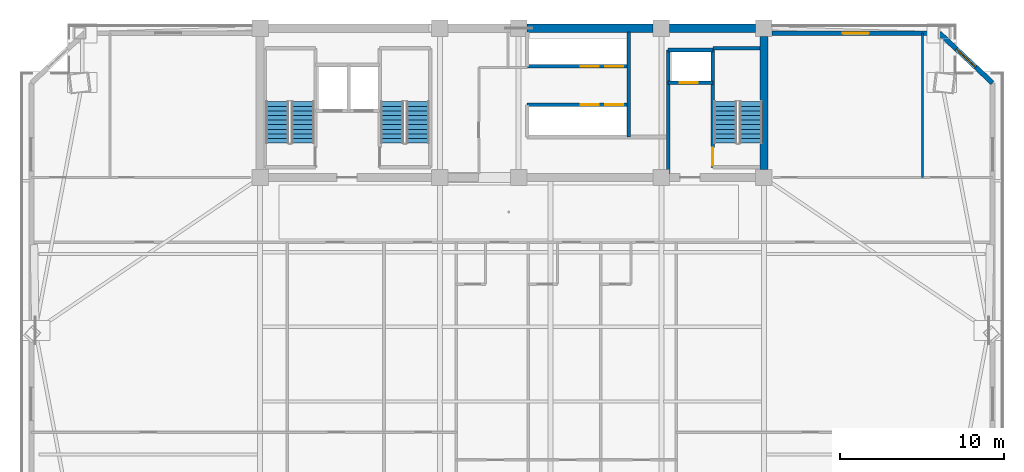
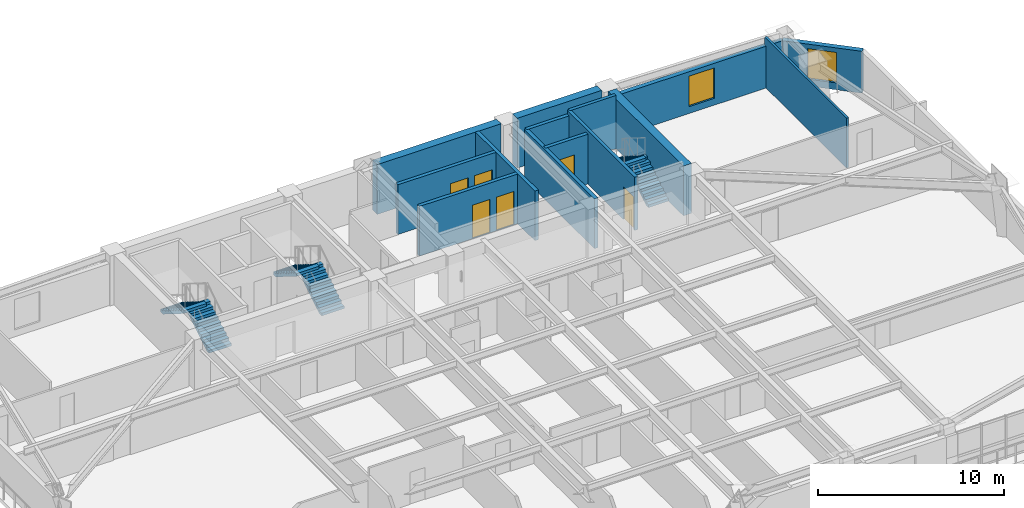
# One storey, part 10 of 15: 14 walls, 6 doors, 6 stair flights, 2 windows, 8 openings, 3 elements without a shape of their own.
"""IFC4 building model written with IfcOpenShell, lengths in metres."""

import ifcopenshell
import ifcopenshell.guid

model = None  # the IFC model being written
_history = None  # IfcOwnerHistory: only IFC2X3 demands one
_inside = {}  # id of a spatial element -> (the spatial element, [elements in it])
_under = {}  # id of a project, library or spatial element -> (it, [spatial elements below it])
_declared = {}  # id of a project -> (the project, [libraries it declares])
_typed = {}  # id of a type object -> (the type object, [elements of that type])
_made_of = {}  # id of a material, layer set ... -> (it, [elements and type objects made of it])


def new_model(schema):
    """Start an empty IFC model of exactly this schema.

    Asked for "IFC4X3", IfcOpenShell would pick the latest addendum, in which some entities
    have other attributes; the version numbers below select the first issue.
    IFC2X3 requires an IfcOwnerHistory on every rooted entity: one is made here for all.
    """
    global model, _history
    if schema == "IFC4X3":
        model = ifcopenshell.file(schema_version=(4, 3, 0, 0))
    else:
        model = ifcopenshell.file(schema=schema)
    _inside.clear()
    _under.clear()
    _declared.clear()
    _typed.clear()
    _made_of.clear()
    _history = None
    if model.schema == "IFC2X3":
        org = make("IfcOrganization", Name="unknown")
        user = make(
            "IfcPersonAndOrganization",
            ThePerson=make("IfcPerson", FamilyName="unknown"),
            TheOrganization=org,
        )
        app = make(
            "IfcApplication",
            ApplicationDeveloper=org,
            Version="unknown",
            ApplicationFullName="unknown",
            ApplicationIdentifier="unknown",
        )
        _history = make(
            "IfcOwnerHistory",
            OwningUser=user,
            OwningApplication=app,
            ChangeAction="ADDED",
            CreationDate=0,
        )
    return model


def make(cls, **values):
    """One entity of the class cls with the attributes given. An attribute that is None is left unset."""
    return model.create_entity(
        cls, **{name: value for name, value in values.items() if value is not None}
    )


def rooted(cls, **values):
    """An entity with a GlobalId (a new one), such as an element, a storey or a relation."""
    return make(cls, GlobalId=ifcopenshell.guid.new(), OwnerHistory=_history, **values)


def si_unit(unit_type, name, prefix=None):
    """IfcSIUnit, for example si_unit("LENGTHUNIT", "METRE", prefix="MILLI")."""
    return make("IfcSIUnit", UnitType=unit_type, Prefix=prefix, Name=name)


def assignment(units):
    """IfcUnitAssignment: the units of a project."""
    return None if units is None else make("IfcUnitAssignment", Units=units)


def point(xyz):
    """IfcCartesianPoint."""
    return None if xyz is None else make("IfcCartesianPoint", Coordinates=xyz)


def direction(xyz):
    """IfcDirection."""
    return None if xyz is None else make("IfcDirection", DirectionRatios=xyz)


def frame(location, z_axis=None, x_axis=None):
    """IfcAxis2Placement3D, a coordinate frame: its origin and axes. An axis left out is left unset."""
    return make(
        "IfcAxis2Placement3D",
        Location=point(location),
        Axis=direction(z_axis),
        RefDirection=direction(x_axis),
    )


def frame_2d(location, x_axis=None):
    """IfcAxis2Placement2D, a coordinate frame in the plane: its origin and x axis."""
    return make(
        "IfcAxis2Placement2D", Location=point(location), RefDirection=direction(x_axis)
    )


def origin():
    """The frame at (0, 0, 0) with its axes left unset."""
    return frame((0.0, 0.0, 0.0))


def place(relative_to, where):
    """IfcLocalPlacement: puts the frame where relative to a parent placement (None: the world)."""
    return make(
        "IfcLocalPlacement", PlacementRelTo=relative_to, RelativePlacement=where
    )


def context(
    kind, dimensions, precision=None, world=None, true_north=None, identifier=None
):
    """IfcGeometricRepresentationContext, for example the 3D "Model" context."""
    return make(
        "IfcGeometricRepresentationContext",
        ContextIdentifier=identifier,
        ContextType=kind,
        CoordinateSpaceDimension=dimensions,
        Precision=precision,
        WorldCoordinateSystem=world,
        TrueNorth=true_north,
    )


def subcontext(parent, identifier, kind, view, scale=None):
    """IfcGeometricRepresentationSubContext, for example "Body" below "Model"."""
    return make(
        "IfcGeometricRepresentationSubContext",
        ContextIdentifier=identifier,
        ContextType=kind,
        ParentContext=parent,
        TargetScale=scale,
        TargetView=view,
    )


def project(units=None, contexts=None):
    """IfcProject with its units and contexts."""
    return rooted(
        "IfcProject",
        Name="project",
        RepresentationContexts=contexts,
        UnitsInContext=assignment(units),
    )


def spatial(cls, under=None, at=None, **own):
    """A site, building, storey or space (cls), placed at a placement, below another one or the project."""
    s = rooted(cls, ObjectPlacement=at, **own)
    if under is not None:
        _under.setdefault(under.id(), (under, []))[1].append(s)
    return s


def polyline(points):
    """IfcPolyline through the points."""
    return make("IfcPolyline", Points=[point(p) for p in points])


def profile(cls, at=None, kind="AREA", **sizes):
    """A parametric profile (cls). Its sizes go by their IFC names, for example OverallWidth=200.0."""
    return make(cls, ProfileType=kind, Position=at, **sizes)


def rectangle(**sizes):
    """IfcRectangleProfileDef."""
    return profile("IfcRectangleProfileDef", **sizes)


def outline(outer, holes=None, kind="AREA"):
    """IfcArbitraryClosedProfileDef: a profile drawn as a closed curve; with holes, ...WithVoids."""
    if holes is None:
        return make("IfcArbitraryClosedProfileDef", ProfileType=kind, OuterCurve=outer)
    return make(
        "IfcArbitraryProfileDefWithVoids",
        ProfileType=kind,
        OuterCurve=outer,
        InnerCurves=holes,
    )


def extrude(swept, where, along, depth):
    """IfcExtrudedAreaSolid: the profile swept, set in the frame where, extruded along a direction by depth."""
    return make(
        "IfcExtrudedAreaSolid",
        SweptArea=swept,
        Position=where,
        ExtrudedDirection=direction(along),
        Depth=depth,
    )


def shape(context_of_items, identifier, shape_type, items):
    """IfcShapeRepresentation: the items that make up one representation, for example the "Body"."""
    return make(
        "IfcShapeRepresentation",
        ContextOfItems=context_of_items,
        RepresentationIdentifier=identifier,
        RepresentationType=shape_type,
        Items=items,
    )


def source(mapping_origin, context_of_items, identifier, shape_type, items):
    """IfcRepresentationMap: a shape defined once, which mapped items show again and again."""
    return make(
        "IfcRepresentationMap",
        MappingOrigin=mapping_origin,
        MappedRepresentation=shape(context_of_items, identifier, shape_type, items),
    )


def transform(
    local_origin,
    x_axis=None,
    y_axis=None,
    z_axis=None,
    scale=None,
    scale2=None,
    scale3=None,
    uniform=True,
):
    """IfcCartesianTransformationOperator3D, or its non-uniform kind. x_axis, y_axis, z_axis: its Axis1, 2, 3."""
    if uniform:
        return make(
            "IfcCartesianTransformationOperator3D",
            Axis1=direction(x_axis),
            Axis2=direction(y_axis),
            LocalOrigin=point(local_origin),
            Scale=scale,
            Axis3=direction(z_axis),
        )
    return make(
        "IfcCartesianTransformationOperator3DnonUniform",
        Axis1=direction(x_axis),
        Axis2=direction(y_axis),
        LocalOrigin=point(local_origin),
        Scale=scale,
        Axis3=direction(z_axis),
        Scale2=scale2,
        Scale3=scale3,
    )


def mapped(mapping_source, mapping_target):
    """IfcMappedItem: shows the shape of a source again, moved by a transform."""
    return make(
        "IfcMappedItem", MappingSource=mapping_source, MappingTarget=mapping_target
    )


def material(Name=None, Category=None):
    """IfcMaterial."""
    return make("IfcMaterial", Name=Name, Category=Category)


def layer(
    of_material, thickness, ventilated=None, Name=None, Category=None, Priority=None
):
    """IfcMaterialLayer: one layer of a wall or slab, of a material (None: an air gap)."""
    return make(
        "IfcMaterialLayer",
        Material=of_material,
        LayerThickness=thickness,
        IsVentilated=ventilated,
        Name=Name,
        Category=Category,
        Priority=Priority,
    )


def layer_set(layers, Name=None):
    """IfcMaterialLayerSet."""
    return make("IfcMaterialLayerSet", MaterialLayers=layers, LayerSetName=Name)


def made_of(thing, what):
    """Note that an element or type object is made of a material, layer set ...; save() writes the relation."""
    if what is not None:
        _made_of.setdefault(what.id(), (what, []))[1].append(thing)
    return thing


def type_object(cls, material=None, **own):
    """A type object (cls), such as IfcWallType, which elements share."""
    return made_of(rooted(cls, **own), material)


def element(
    cls,
    number,
    at=None,
    inside=None,
    cuts=None,
    type_object=None,
    material=None,
    context=None,
    identifier="Body",
    shape_type=None,
    held_by="IfcProductDefinitionShape",
    body=None,
    shapes=None,
    **own,
):
    """One element of the class cls, such as IfcWall. Its Tag is "e" and its number.

    at: its placement. inside: the storey or other place that contains it. cuts: it is an
    opening in that element (IfcRelVoidsElement). A single representation is given by context,
    identifier, shape_type and body (its items); several are given by shapes. held_by: the class
    of the entity that holds the representations. save() writes the other relations.
    """
    e = rooted(cls, Tag="e%d" % number, ObjectPlacement=at, **own)
    if body is not None:
        shapes = [shape(context, identifier, shape_type, body)]
    if shapes is not None:
        e.Representation = make(held_by, Representations=shapes)
    if inside is not None:
        _inside.setdefault(inside.id(), (inside, []))[1].append(e)
    if cuts is not None:
        rooted(
            "IfcRelVoidsElement", RelatingBuildingElement=cuts, RelatedOpeningElement=e
        )
    if type_object is not None:
        _typed.setdefault(type_object.id(), (type_object, []))[1].append(e)
    return made_of(e, material)


def fill(opening, filler):
    """IfcRelFillsElement: the door or window that sits in an opening."""
    return rooted(
        "IfcRelFillsElement",
        RelatingOpeningElement=opening,
        RelatedBuildingElement=filler,
    )


def aggregate(whole, parts):
    """IfcRelAggregates: a whole, such as a stair, and the parts it consists of."""
    return rooted("IfcRelAggregates", RelatingObject=whole, RelatedObjects=parts)


def save(model, path):
    """Write the relations noted so far, then the file.

    IfcRelAggregates (storeys below a building ...), IfcRelContainedInSpatialStructure (elements
    in a storey), IfcRelDefinesByType, IfcRelAssociatesMaterial and IfcRelDeclares: one each for
    every whole, place, type object, material and project.
    """
    for whole, parts in _under.values():
        aggregate(whole, parts)
    for where, things in _inside.values():
        rooted(
            "IfcRelContainedInSpatialStructure",
            RelatedElements=things,
            RelatingStructure=where,
        )
    for kind, things in _typed.values():
        rooted("IfcRelDefinesByType", RelatedObjects=things, RelatingType=kind)
    for what, things in _made_of.values():
        rooted("IfcRelAssociatesMaterial", RelatedObjects=things, RelatingMaterial=what)
    for by, libraries in _declared.values():
        rooted("IfcRelDeclares", RelatingContext=by, RelatedDefinitions=libraries)
    model.write(path)


model = new_model("IFC4")

# Units and contexts
model_context = context("Model", 3, precision=1e-05, world=origin(), true_north=direction((0.0, 1.0)))
body_context = subcontext(model_context, "Body", "Model", "MODEL_VIEW")
ifc_project = project(units=[si_unit("LENGTHUNIT", "METRE"), si_unit("AREAUNIT", "SQUARE_METRE"), si_unit("VOLUMEUNIT", "CUBIC_METRE"), si_unit("PLANEANGLEUNIT", "RADIAN"), si_unit("MASSUNIT", "GRAM", prefix="KILO")], contexts=[model_context])

# Site, building, storey
site_placement = place(None, origin())
site = spatial("IfcSite", under=ifc_project, at=site_placement, CompositionType="ELEMENT")
building_placement = place(site_placement, origin())
building = spatial("IfcBuilding", under=site, at=building_placement, Name="Giltprow Tower", CompositionType="ELEMENT")
storey_placement = place(building_placement, frame((0.0, 0.0, 177.199951171875)))
storey = spatial("IfcBuildingStorey", under=building, at=storey_placement, Name="L44", CompositionType="ELEMENT", Elevation=177.199951171875)

# Wall, opening, window
ifc_material_1 = material(Name="Precast concrete C40", Category="concrete")
ifc_layer_1 = layer(ifc_material_1, 0.300048828125, Name="Precast concrete C40")
ifc_layer_set_1 = layer_set([ifc_layer_1], Name="Precast concrete C40")
wall_type_1 = type_object("IfcWallType", Name="EW-NOTCH-CHAMFER-300", PredefinedType="SOLIDWALL", material=ifc_layer_set_1)
wall_1_placement = place(storey_placement, frame((64.48095703125, 43.212890625, 0.0), z_axis=(0.0, 0.0, 1.0), x_axis=(-0.729271287048, 0.684224663314, 0.0)))
wall_1 = element("IfcWall", 1, at=wall_1_placement, inside=storey, type_object=wall_type_1, Name="L44 Corner Notch Wall NE", PredefinedType="SOLIDWALL", context=body_context, shape_type="SweptSolid", body=[
    extrude(rectangle(XDim=4.438720703125, YDim=0.300048828125, at=frame_2d((2.21923828125, 0.0))), origin(), (0.0, 0.0, 1.0), 2.75),
])
opening_1_placement = place(wall_1_placement, frame((1.4189453125, 0.0, 0.449951171875)))
opening_1 = element("IfcOpeningElement", 2, at=opening_1_placement, cuts=wall_1, Name="Opening WN17", PredefinedType="OPENING", context=body_context, shape_type="SweptSolid", body=[
    extrude(rectangle(XDim=1.60009765625, YDim=2.0, at=frame_2d((0.800048828125, 1.0))), frame((0.0, 0.159912109375, 0.0), z_axis=(0.0, -1.0, 0.0), x_axis=(1.0, 0.0, 0.0)), (0.0, 0.0, 1.0), 0.320068359375),
])
ifc_material_2 = material(Name="Insulated glass", Category="glass")
window_type = type_object("IfcWindowType", Name="WN-COR-1600x2000", PartitioningType="SINGLE_PANEL", PredefinedType="WINDOW", material=ifc_material_2)
shared_shape_1 = source(origin(), body_context, "Body", "SweptSolid", [
    extrude(rectangle(XDim=1.60009765625, YDim=2.0, at=frame_2d((0.800048828125, 1.0))), frame((0.0, 0.030029296875, 0.0), z_axis=(0.0, -1.0, 0.0), x_axis=(1.0, 0.0, 0.0)), (0.0, 0.0, 1.0), 0.06005859375),
])
window_1_placement = place(opening_1_placement, origin())
window_1 = element("IfcWindow", 3, at=window_1_placement, inside=storey, type_object=window_type, Name="L44 Corner Notch Window NE", OverallHeight=2.0, OverallWidth=1.60009765625, PartitioningType="SINGLE_PANEL", PredefinedType="WINDOW", context=body_context, shape_type="MappedRepresentation", body=[
    mapped(shared_shape_1, transform((0.0, 0.0, 0.0), x_axis=(1.0, 0.0, 0.0), y_axis=(0.0, 1.0, 0.0), z_axis=(0.0, 0.0, 1.0), scale=1.0)),
])
fill(opening_1, window_1)

ifc_layer_2 = layer(ifc_material_1, 0.280029296875, Name="Precast concrete C40")
ifc_layer_set_2 = layer_set([ifc_layer_2], Name="Precast concrete C40")
wall_type_2 = type_object("IfcWallType", Name="EW-TOW-BRONZE-280", PredefinedType="SOLIDWALL", material=ifc_layer_set_2)
wall_2_placement = place(storey_placement, frame((51.050048828125, 46.25, 0.0), z_axis=(0.0, 0.0, 1.0), x_axis=(1.0, 0.0, 0.0)))
wall_2 = element("IfcWall", 4, at=wall_2_placement, inside=storey, type_object=wall_type_2, Name="L44 North-East Wing Wall", PredefinedType="SOLIDWALL", context=body_context, shape_type="SweptSolid", body=[
    extrude(rectangle(XDim=10.19384765625, YDim=0.280029296875, at=frame_2d((5.096923828125, 0.0))), origin(), (0.0, 0.0, 1.0), 2.75),
])
opening_2_placement = place(wall_2_placement, frame((4.297119140625, 0.0, 0.449951171875)))
opening_2 = element("IfcOpeningElement", 5, at=opening_2_placement, cuts=wall_2, Name="Opening WN17", PredefinedType="OPENING", context=body_context, shape_type="SweptSolid", body=[
    extrude(rectangle(XDim=1.60009765625, YDim=2.0, at=frame_2d((0.800048828125, 1.0))), frame((0.0, 0.14990234375, 0.0), z_axis=(0.0, -1.0, 0.0), x_axis=(1.0, 0.0, 0.0)), (0.0, 0.0, 1.0), 0.300048828125),
])
window_2_placement = place(opening_2_placement, origin())
window_2 = element("IfcWindow", 6, at=window_2_placement, inside=storey, type_object=window_type, Name="L44 North-East Window", OverallHeight=2.0, OverallWidth=1.60009765625, PartitioningType="SINGLE_PANEL", PredefinedType="WINDOW", context=body_context, shape_type="MappedRepresentation", body=[
    mapped(shared_shape_1, transform((0.0, 0.0, 0.0), x_axis=(1.0, 0.0, 0.0), y_axis=(0.0, 1.0, 0.0), z_axis=(0.0, 0.0, 1.0), scale=1.0)),
])
fill(opening_2, window_2)

# Wall, opening, door
ifc_material_3 = material(Name="Concrete C40", Category="concrete")
ifc_layer_3 = layer(ifc_material_3, 0.219970703125, Name="Concrete C40")
ifc_layer_set_3 = layer_set([ifc_layer_3], Name="Concrete C40")
wall_type_3 = type_object("IfcWallType", Name="IW-SHAFT-220", PredefinedType="SOLIDWALL", material=ifc_layer_set_3)
wall_3_placement = place(storey_placement, frame((44.719970703125, 43.219970703125, 0.0), z_axis=(0.0, 0.0, 1.0), x_axis=(1.0, 0.0, 0.0)))
wall_3 = element("IfcWall", 7, at=wall_3_placement, inside=storey, type_object=wall_type_3, Name="L44 FFL2 Front Shaft Wall", PredefinedType="SOLIDWALL", context=body_context, shape_type="SweptSolid", body=[
    extrude(rectangle(XDim=2.719970703125, YDim=0.219970703125, at=frame_2d((1.35986328125, 0.0))), origin(), (0.0, 0.0, 1.0), 3.27001953125),
])
opening_3_placement = place(wall_3_placement, frame((0.699951171875, 0.0, 0.0)))
opening_3 = element("IfcOpeningElement", 8, at=opening_3_placement, cuts=wall_3, Name="Opening LD-11", PredefinedType="OPENING", context=body_context, shape_type="SweptSolid", body=[
    extrude(rectangle(XDim=1.10009765625, YDim=2.199951171875, at=frame_2d((0.550048828125, 1.10009765625))), frame((0.0, 0.119873046875, 0.0), z_axis=(0.0, -1.0, 0.0), x_axis=(1.0, 0.0, 0.0)), (0.0, 0.0, 1.0), 0.239990234375),
])
ifc_material_4 = material(Name="Stainless steel", Category="steel")
door_type_1 = type_object("IfcDoorType", Name="DR-LIFT-LD1100", OperationType="SLIDING_TO_LEFT", PredefinedType="DOOR", material=ifc_material_4)
shared_shape_2 = source(origin(), body_context, "Body", "SweptSolid", [
    extrude(rectangle(XDim=1.10009765625, YDim=2.199951171875, at=frame_2d((0.550048828125, 1.10009765625))), frame((0.0, 0.02490234375, 0.0), z_axis=(0.0, -1.0, 0.0), x_axis=(1.0, 0.0, 0.0)), (0.0, 0.0, 1.0), 0.050048828125),
])
door_1_placement = place(opening_3_placement, origin())
door_1 = element("IfcDoor", 9, at=door_1_placement, inside=storey, type_object=door_type_1, Name="L44 FFL2 Landing Door", OperationType="SLIDING_TO_LEFT", OverallHeight=2.199951171875, OverallWidth=1.10009765625, PredefinedType="DOOR", context=body_context, shape_type="MappedRepresentation", body=[
    mapped(shared_shape_2, transform((0.0, 0.0, 0.0), x_axis=(1.0, 0.0, 0.0), y_axis=(0.0, 1.0, 0.0), z_axis=(0.0, 0.0, 1.0), scale=1.0)),
])
fill(opening_3, door_1)

# Walls
wall_4_placement = place(storey_placement, frame((44.719970703125, 45.219970703125, 0.0), z_axis=(0.0, 0.0, 1.0), x_axis=(1.0, 0.0, 0.0)))
element("IfcWall", 10, at=wall_4_placement, inside=storey, type_object=wall_type_3, Name="L44 FFL2 Back Shaft Wall", PredefinedType="SOLIDWALL", context=body_context, shape_type="SweptSolid", body=[
    extrude(rectangle(XDim=2.719970703125, YDim=0.219970703125, at=frame_2d((1.35986328125, 0.0))), origin(), (0.0, 0.0, 1.0), 3.27001953125),
])
wall_5_placement = place(storey_placement, frame((44.719970703125, 37.679931640625, 0.0), z_axis=(0.0, 0.0, 1.0), x_axis=(0.0, 1.0, 0.0)))
element("IfcWall", 11, at=wall_5_placement, inside=storey, type_object=wall_type_3, Name="L44 East Firefighting Lobby West Wall", PredefinedType="SOLIDWALL", context=body_context, shape_type="SweptSolid", body=[
    extrude(rectangle(XDim=7.5400390625, YDim=0.219970703125, at=frame_2d((3.77001953125, 0.0))), origin(), (0.0, 0.0, 1.0), 3.27001953125),
])

# Wall, openings, doors
wall_6_placement = place(storey_placement, frame((36.1201171875, 44.219970703125, 0.0), z_axis=(0.0, 0.0, 1.0), x_axis=(1.0, 0.0, 0.0)))
wall_6 = element("IfcWall", 12, at=wall_6_placement, inside=storey, type_object=wall_type_3, Name="L44 Mid-Rise Lift Shaft Front Wall N", PredefinedType="SOLIDWALL", context=body_context, shape_type="SweptSolid", body=[
    extrude(rectangle(XDim=6.199951171875, YDim=0.219970703125, at=frame_2d((3.10009765625, 0.0))), origin(), (0.0, 0.0, 1.0), 3.27001953125),
])
opening_4_placement = place(wall_6_placement, frame((3.280029296875, 0.0, 0.0)))
opening_4 = element("IfcOpeningElement", 13, at=opening_4_placement, cuts=wall_6, Name="Opening LD-11", PredefinedType="OPENING", context=body_context, shape_type="SweptSolid", body=[
    extrude(rectangle(XDim=1.10009765625, YDim=2.199951171875, at=frame_2d((0.550048828125, 1.10009765625))), frame((0.0, 0.119873046875, 0.0), z_axis=(0.0, -1.0, 0.0), x_axis=(1.0, 0.0, 0.0)), (0.0, 0.0, 1.0), 0.239990234375),
])
opening_5_placement = place(wall_6_placement, frame((4.77001953125, 0.0, 0.0)))
opening_5 = element("IfcOpeningElement", 14, at=opening_5_placement, cuts=wall_6, Name="Opening LD-11", PredefinedType="OPENING", context=body_context, shape_type="SweptSolid", body=[
    extrude(rectangle(XDim=1.10009765625, YDim=2.199951171875, at=frame_2d((0.550048828125, 1.10009765625))), frame((0.0, 0.119873046875, 0.0), z_axis=(0.0, -1.0, 0.0), x_axis=(1.0, 0.0, 0.0)), (0.0, 0.0, 1.0), 0.239990234375),
])
door_2_placement = place(opening_4_placement, origin())
door_2 = element("IfcDoor", 15, at=door_2_placement, inside=storey, type_object=door_type_1, Name="L44 PL-M1 Landing Door", OperationType="SLIDING_TO_LEFT", OverallHeight=2.199951171875, OverallWidth=1.10009765625, PredefinedType="DOOR", context=body_context, shape_type="MappedRepresentation", body=[
    mapped(shared_shape_2, transform((0.0, 0.0, 0.0), x_axis=(1.0, 0.0, 0.0), y_axis=(0.0, 1.0, 0.0), z_axis=(0.0, 0.0, 1.0), scale=1.0)),
])
fill(opening_4, door_2)
door_3_placement = place(opening_5_placement, origin())
door_3 = element("IfcDoor", 16, at=door_3_placement, inside=storey, type_object=door_type_1, Name="L44 PL-M2 Landing Door", OperationType="SLIDING_TO_LEFT", OverallHeight=2.199951171875, OverallWidth=1.10009765625, PredefinedType="DOOR", context=body_context, shape_type="MappedRepresentation", body=[
    mapped(shared_shape_2, transform((0.0, 0.0, 0.0), x_axis=(1.0, 0.0, 0.0), y_axis=(0.0, 1.0, 0.0), z_axis=(0.0, 0.0, 1.0), scale=1.0)),
])
fill(opening_5, door_3)

wall_7_placement = place(storey_placement, frame((36.1201171875, 41.8798828125, 0.0), z_axis=(0.0, 0.0, 1.0), x_axis=(1.0, 0.0, 0.0)))
wall_7 = element("IfcWall", 17, at=wall_7_placement, inside=storey, type_object=wall_type_3, Name="L44 Mid-Rise Lift Shaft Front Wall S", PredefinedType="SOLIDWALL", context=body_context, shape_type="SweptSolid", body=[
    extrude(rectangle(XDim=6.199951171875, YDim=0.219970703125, at=frame_2d((3.10009765625, 0.0))), origin(), (0.0, 0.0, 1.0), 3.27001953125),
])
opening_6_placement = place(wall_7_placement, frame((3.280029296875, 0.0, 0.0)))
opening_6 = element("IfcOpeningElement", 18, at=opening_6_placement, cuts=wall_7, Name="Opening LD-11", PredefinedType="OPENING", context=body_context, shape_type="SweptSolid", body=[
    extrude(rectangle(XDim=1.10009765625, YDim=2.199951171875, at=frame_2d((0.550048828125, 1.10009765625))), frame((0.0, 0.119873046875, 0.0), z_axis=(0.0, -1.0, 0.0), x_axis=(1.0, 0.0, 0.0)), (0.0, 0.0, 1.0), 0.239990234375),
])
opening_7_placement = place(wall_7_placement, frame((4.77001953125, 0.0, 0.0)))
opening_7 = element("IfcOpeningElement", 19, at=opening_7_placement, cuts=wall_7, Name="Opening LD-11", PredefinedType="OPENING", context=body_context, shape_type="SweptSolid", body=[
    extrude(rectangle(XDim=1.10009765625, YDim=2.199951171875, at=frame_2d((0.550048828125, 1.10009765625))), frame((0.0, 0.119873046875, 0.0), z_axis=(0.0, -1.0, 0.0), x_axis=(1.0, 0.0, 0.0)), (0.0, 0.0, 1.0), 0.239990234375),
])
door_4_placement = place(opening_6_placement, origin())
door_4 = element("IfcDoor", 20, at=door_4_placement, inside=storey, type_object=door_type_1, Name="L44 PL-M3 Landing Door", OperationType="SLIDING_TO_LEFT", OverallHeight=2.199951171875, OverallWidth=1.10009765625, PredefinedType="DOOR", context=body_context, shape_type="MappedRepresentation", body=[
    mapped(shared_shape_2, transform((0.0, 0.0, 0.0), x_axis=(1.0, 0.0, 0.0), y_axis=(0.0, 1.0, 0.0), z_axis=(0.0, 0.0, 1.0), scale=1.0)),
])
fill(opening_6, door_4)
door_5_placement = place(opening_7_placement, origin())
door_5 = element("IfcDoor", 21, at=door_5_placement, inside=storey, type_object=door_type_1, Name="L44 PL-M4 Landing Door", OperationType="SLIDING_TO_LEFT", OverallHeight=2.199951171875, OverallWidth=1.10009765625, PredefinedType="DOOR", context=body_context, shape_type="MappedRepresentation", body=[
    mapped(shared_shape_2, transform((0.0, 0.0, 0.0), x_axis=(1.0, 0.0, 0.0), y_axis=(0.0, 1.0, 0.0), z_axis=(0.0, 0.0, 1.0), scale=1.0)),
])
fill(opening_7, door_5)

# Wall
wall_8_placement = place(storey_placement, frame((42.320068359375, 39.919921875, 0.0), z_axis=(0.0, 0.0, 1.0), x_axis=(0.0, 1.0, 0.0)))
element("IfcWall", 22, at=wall_8_placement, inside=storey, type_object=wall_type_3, Name="L44 Mid-Rise Lift Bank East Closure", PredefinedType="SOLIDWALL", context=body_context, shape_type="SweptSolid", body=[
    extrude(rectangle(XDim=6.400146484375, YDim=0.219970703125, at=frame_2d((3.2001953125, 0.0))), origin(), (0.0, 0.0, 1.0), 3.27001953125),
])

# Wall, opening, door
ifc_layer_4 = layer(ifc_material_3, 0.199951171875, Name="Concrete C40")
ifc_layer_set_4 = layer_set([ifc_layer_4], Name="Concrete C40")
wall_type_4 = type_object("IfcWallType", Name="IW-STAIR-200", PredefinedType="SOLIDWALL", material=ifc_layer_set_4)
wall_9_placement = place(storey_placement, frame((47.43994140625, 38.070068359375, 0.0), z_axis=(0.0, 0.0, 1.0), x_axis=(0.0, 1.0, 0.0)))
wall_9 = element("IfcWall", 23, at=wall_9_placement, inside=storey, type_object=wall_type_4, Name="L44 Stair ST-3 West Bearing Wall", PredefinedType="SOLIDWALL", context=body_context, shape_type="SweptSolid", body=[
    extrude(rectangle(XDim=7.25, YDim=0.199951171875, at=frame_2d((3.625, 0.0))), origin(), (0.0, 0.0, 1.0), 3.5),
])
opening_8_placement = place(wall_9_placement, frame((0.110107421875, 0.0, 0.0)))
opening_8 = element("IfcOpeningElement", 24, at=opening_8_placement, cuts=wall_9, Name="Opening ID33", PredefinedType="OPENING", context=body_context, shape_type="SweptSolid", body=[
    extrude(rectangle(XDim=1.10009765625, YDim=2.14990234375, at=frame_2d((0.550048828125, 1.074951171875))), frame((0.0, 0.10986328125, 0.0), z_axis=(0.0, -1.0, 0.0), x_axis=(1.0, 0.0, 0.0)), (0.0, 0.0, 1.0), 0.219970703125),
])
ifc_material_5 = material(Name="Steel fire leaf", Category="steel")
door_type_2 = type_object("IfcDoorType", Name="DR-STAIR-1100", OperationType="SINGLE_SWING_LEFT", PredefinedType="DOOR", material=ifc_material_5)
shared_shape_3 = source(origin(), body_context, "Body", "SweptSolid", [
    extrude(rectangle(XDim=1.10009765625, YDim=2.14990234375, at=frame_2d((0.550048828125, 1.074951171875))), frame((0.0, 0.02490234375, 0.0), z_axis=(0.0, -1.0, 0.0), x_axis=(1.0, 0.0, 0.0)), (0.0, 0.0, 1.0), 0.050048828125),
])
door_6_placement = place(opening_8_placement, origin())
door_6 = element("IfcDoor", 25, at=door_6_placement, inside=storey, type_object=door_type_2, Name="L44 Stair ST-3 Fire Door", OperationType="SINGLE_SWING_RIGHT", OverallHeight=2.14990234375, OverallWidth=1.10009765625, PredefinedType="DOOR", context=body_context, shape_type="MappedRepresentation", body=[
    mapped(shared_shape_3, transform((0.0, 0.0, 0.0), x_axis=(1.0, 0.0, 0.0), y_axis=(0.0, 1.0, 0.0), z_axis=(0.0, 0.0, 1.0), scale=1.0)),
])
fill(opening_8, door_6)

# Walls
wall_10_placement = place(storey_placement, frame((47.43994140625, 45.320068359375, 0.0), z_axis=(0.0, 0.0, 1.0), x_axis=(1.0, 0.0, 0.0)))
element("IfcWall", 26, at=wall_10_placement, inside=storey, type_object=wall_type_4, Name="L44 Stair ST-3 North Bearing Wall", PredefinedType="SOLIDWALL", context=body_context, shape_type="SweptSolid", body=[
    extrude(rectangle(XDim=2.880126953125, YDim=0.199951171875, at=frame_2d((1.43994140625, 0.0))), origin(), (0.0, 0.0, 1.0), 3.5),
])
ifc_material_6 = material(Name="Concrete C30", Category="concrete")
ifc_layer_5 = layer(ifc_material_6, 0.1298828125, Name="Concrete C30")
ifc_layer_set_5 = layer_set([ifc_layer_5], Name="Concrete C30")
wall_type_5 = type_object("IfcWallType", Name="IW-WET-130", PredefinedType="PARTITIONING", material=ifc_layer_set_5)
wall_11_placement = place(storey_placement, frame((60.2080078125, 37.449951171875, 0.0), z_axis=(0.0, 0.0, 1.0), x_axis=(0.0, 1.0, 0.0)))
element("IfcWall", 27, at=wall_11_placement, inside=storey, type_object=wall_type_5, Name="L44 NE Wing Divider", PredefinedType="PARTITIONING", context=body_context, shape_type="SweptSolid", body=[
    extrude(rectangle(XDim=8.800048828125, YDim=0.1298828125, at=frame_2d((4.39990234375, 0.0))), origin(), (0.0, 0.0, 1.0), 3.27001953125),
])
ifc_material_7 = material(Name="Concrete C50", Category="concrete")
ifc_layer_6 = layer(ifc_material_7, 0.5, Name="Concrete C50")
ifc_layer_set_6 = layer_set([ifc_layer_6], Name="Concrete C50")
wall_type_6 = type_object("IfcWallType", Name="SW-EXT-500-C50", PredefinedType="SHEAR", material=ifc_layer_set_6)
wall_12_placement = place(storey_placement, frame((36.10009765625, 46.550048828125, 0.0), z_axis=(0.0, 0.0, 1.0), x_axis=(1.0, 0.0, 0.0)))
element("IfcWall", 28, at=wall_12_placement, inside=storey, type_object=wall_type_6, Name="L44 North Rear Core Shear Wall 3", PredefinedType="SHEAR", context=body_context, shape_type="SweptSolid", body=[
    extrude(rectangle(XDim=7.699951171875, YDim=0.5, at=frame_2d((3.85009765625, 0.0))), origin(), (0.0, 0.0, 1.0), 3.27001953125),
])
wall_13_placement = place(storey_placement, frame((44.800048828125, 46.550048828125, 0.0), z_axis=(0.0, 0.0, 1.0), x_axis=(1.0, 0.0, 0.0)))
element("IfcWall", 29, at=wall_13_placement, inside=storey, type_object=wall_type_6, Name="L44 North Rear Core Shear Wall 4", PredefinedType="SHEAR", context=body_context, shape_type="SweptSolid", body=[
    extrude(rectangle(XDim=5.25, YDim=0.5, at=frame_2d((2.625, 0.0))), origin(), (0.0, 0.0, 1.0), 3.27001953125),
])
ifc_layer_7 = layer(ifc_material_7, 0.5, Name="Concrete C50")
ifc_layer_set_7 = layer_set([ifc_layer_7], Name="Concrete C50")
wall_type_7 = type_object("IfcWallType", Name="SW-INT-500-C50", PredefinedType="SHEAR", material=ifc_layer_set_7)
wall_14_placement = place(storey_placement, frame((50.550048828125, 37.949951171875, 0.0), z_axis=(0.0, 0.0, 1.0), x_axis=(0.0, 1.0, 0.0)))
element("IfcWall", 30, at=wall_14_placement, inside=storey, type_object=wall_type_7, Name="L44 E Rear Core Shear Wall", PredefinedType="SHEAR", context=body_context, shape_type="SweptSolid", body=[
    extrude(rectangle(XDim=8.10009765625, YDim=0.5, at=frame_2d((4.050048828125, 0.0))), origin(), (0.0, 0.0, 1.0), 3.27001953125),
])

# Stair, stair flights
stair_type_1 = type_object("IfcStairType", Name="STR-ST-1", PredefinedType="HALF_TURN_STAIR", material=ifc_material_3)
stair_1_placement = place(storey_placement, origin())
stair_1 = element("IfcStair", 31, at=stair_1_placement, inside=storey, type_object=stair_type_1, Name="L44 Core Exit Stair ST-1", PredefinedType="HALF_TURN_STAIR")
stair_flight_type_1 = type_object("IfcStairFlightType", Name="SFL-ST-1", PredefinedType="STRAIGHT", material=ifc_material_3)
stair_flight_1_placement = place(storey_placement, frame((22.4599609375, 39.550048828125, 0.0), z_axis=(0.0, 0.0, 1.0), x_axis=(0.0, 1.0, 0.0)))
stair_flight_1 = element("IfcStairFlight", 32, at=stair_flight_1_placement, type_object=stair_flight_type_1, Name="ST-1 flight 1", NumberOfRisers=10, NumberOfTreads=9, PredefinedType="STRAIGHT", RiserHeight=0.175, TreadLength=0.28, context=body_context, shape_type="SweptSolid", body=[
    extrude(outline(polyline([(0.0, 0.0), (0.0, 0.175048828125), (0.280029296875, 0.175048828125), (0.280029296875, 0.35009765625), (0.56005859375, 0.35009765625), (0.56005859375, 0.52490234375), (0.840087890625, 0.52490234375), (0.840087890625, 0.699951171875), (1.1201171875, 0.699951171875), (1.1201171875, 0.875), (1.39990234375, 0.875), (1.39990234375, 1.050048828125), (1.679931640625, 1.050048828125), (1.679931640625, 1.22509765625), (1.9599609375, 1.22509765625), (1.9599609375, 1.39990234375), (2.239990234375, 1.39990234375), (2.239990234375, 1.574951171875), (2.52001953125, 1.574951171875), (2.52001953125, 1.75), (2.52001953125, 1.398193359375), (0.28271484375, 0.0), (0.0, 0.0)])), frame((0.0, 0.699951171875, 0.0), z_axis=(0.0, -1.0, 0.0), x_axis=(1.0, 0.0, 0.0)), (0.0, 0.0, 1.0), 1.39990234375),
])
stair_flight_2_placement = place(storey_placement, frame((20.89990234375, 42.070068359375, 1.75), z_axis=(0.0, 0.0, 1.0), x_axis=(0.0, -1.0, 0.0)))
stair_flight_2 = element("IfcStairFlight", 33, at=stair_flight_2_placement, type_object=stair_flight_type_1, Name="ST-1 flight 2", NumberOfRisers=10, NumberOfTreads=9, PredefinedType="STRAIGHT", RiserHeight=0.175, TreadLength=0.28, context=body_context, shape_type="SweptSolid", body=[
    extrude(outline(polyline([(0.0, 0.0), (0.0, 0.175048828125), (0.280029296875, 0.175048828125), (0.280029296875, 0.35009765625), (0.56005859375, 0.35009765625), (0.56005859375, 0.52490234375), (0.840087890625, 0.52490234375), (0.840087890625, 0.699951171875), (1.1201171875, 0.699951171875), (1.1201171875, 0.875), (1.39990234375, 0.875), (1.39990234375, 1.050048828125), (1.679931640625, 1.050048828125), (1.679931640625, 1.22509765625), (1.9599609375, 1.22509765625), (1.9599609375, 1.39990234375), (2.239990234375, 1.39990234375), (2.239990234375, 1.574951171875), (2.52001953125, 1.574951171875), (2.52001953125, 1.75), (2.52001953125, 1.398193359375), (0.28271484375, 0.0), (0.0, 0.0)])), frame((0.0, 0.699951171875, 0.0), z_axis=(0.0, -1.0, 0.0), x_axis=(1.0, 0.0, 0.0)), (0.0, 0.0, 1.0), 1.39990234375),
])
aggregate(stair_1, [stair_flight_1, stair_flight_2])

stair_type_2 = type_object("IfcStairType", Name="STR-ST-2", PredefinedType="HALF_TURN_STAIR", material=ifc_material_3)
stair_2_placement = place(storey_placement, origin())
stair_2 = element("IfcStair", 34, at=stair_2_placement, inside=storey, type_object=stair_type_2, Name="L44 Core Exit Stair ST-2", PredefinedType="HALF_TURN_STAIR")
stair_flight_type_2 = type_object("IfcStairFlightType", Name="SFL-ST-2", PredefinedType="STRAIGHT", material=ifc_material_3)
stair_flight_3_placement = place(storey_placement, frame((29.4599609375, 39.550048828125, 0.0), z_axis=(0.0, 0.0, 1.0), x_axis=(0.0, 1.0, 0.0)))
stair_flight_3 = element("IfcStairFlight", 35, at=stair_flight_3_placement, type_object=stair_flight_type_2, Name="ST-2 flight 1", NumberOfRisers=10, NumberOfTreads=9, PredefinedType="STRAIGHT", RiserHeight=0.175, TreadLength=0.28, context=body_context, shape_type="SweptSolid", body=[
    extrude(outline(polyline([(0.0, 0.0), (0.0, 0.175048828125), (0.280029296875, 0.175048828125), (0.280029296875, 0.35009765625), (0.56005859375, 0.35009765625), (0.56005859375, 0.52490234375), (0.840087890625, 0.52490234375), (0.840087890625, 0.699951171875), (1.1201171875, 0.699951171875), (1.1201171875, 0.875), (1.39990234375, 0.875), (1.39990234375, 1.050048828125), (1.679931640625, 1.050048828125), (1.679931640625, 1.22509765625), (1.9599609375, 1.22509765625), (1.9599609375, 1.39990234375), (2.239990234375, 1.39990234375), (2.239990234375, 1.574951171875), (2.52001953125, 1.574951171875), (2.52001953125, 1.75), (2.52001953125, 1.398193359375), (0.28271484375, 0.0), (0.0, 0.0)])), frame((0.0, 0.699951171875, 0.0), z_axis=(0.0, -1.0, 0.0), x_axis=(1.0, 0.0, 0.0)), (0.0, 0.0, 1.0), 1.39990234375),
])
stair_flight_4_placement = place(storey_placement, frame((27.89990234375, 42.070068359375, 1.75), z_axis=(0.0, 0.0, 1.0), x_axis=(0.0, -1.0, 0.0)))
stair_flight_4 = element("IfcStairFlight", 36, at=stair_flight_4_placement, type_object=stair_flight_type_2, Name="ST-2 flight 2", NumberOfRisers=10, NumberOfTreads=9, PredefinedType="STRAIGHT", RiserHeight=0.175, TreadLength=0.28, context=body_context, shape_type="SweptSolid", body=[
    extrude(outline(polyline([(0.0, 0.0), (0.0, 0.175048828125), (0.280029296875, 0.175048828125), (0.280029296875, 0.35009765625), (0.56005859375, 0.35009765625), (0.56005859375, 0.52490234375), (0.840087890625, 0.52490234375), (0.840087890625, 0.699951171875), (1.1201171875, 0.699951171875), (1.1201171875, 0.875), (1.39990234375, 0.875), (1.39990234375, 1.050048828125), (1.679931640625, 1.050048828125), (1.679931640625, 1.22509765625), (1.9599609375, 1.22509765625), (1.9599609375, 1.39990234375), (2.239990234375, 1.39990234375), (2.239990234375, 1.574951171875), (2.52001953125, 1.574951171875), (2.52001953125, 1.75), (2.52001953125, 1.398193359375), (0.28271484375, 0.0), (0.0, 0.0)])), frame((0.0, 0.699951171875, 0.0), z_axis=(0.0, -1.0, 0.0), x_axis=(1.0, 0.0, 0.0)), (0.0, 0.0, 1.0), 1.39990234375),
])
aggregate(stair_2, [stair_flight_3, stair_flight_4])

stair_type_3 = type_object("IfcStairType", Name="STR-ST-3", PredefinedType="HALF_TURN_STAIR", material=ifc_material_3)
stair_3_placement = place(storey_placement, origin())
stair_3 = element("IfcStair", 37, at=stair_3_placement, inside=storey, type_object=stair_type_3, Name="L44 Core Exit Stair ST-3", PredefinedType="HALF_TURN_STAIR")
stair_flight_type_3 = type_object("IfcStairFlightType", Name="SFL-ST-3", PredefinedType="STRAIGHT", material=ifc_material_3)
stair_flight_5_placement = place(storey_placement, frame((49.760009765625, 39.550048828125, 0.0), z_axis=(0.0, 0.0, 1.0), x_axis=(0.0, 1.0, 0.0)))
stair_flight_5 = element("IfcStairFlight", 38, at=stair_flight_5_placement, type_object=stair_flight_type_3, Name="ST-3 flight 1", NumberOfRisers=10, NumberOfTreads=9, PredefinedType="STRAIGHT", RiserHeight=0.175, TreadLength=0.28, context=body_context, shape_type="SweptSolid", body=[
    extrude(outline(polyline([(0.0, 0.0), (0.0, 0.175048828125), (0.280029296875, 0.175048828125), (0.280029296875, 0.35009765625), (0.56005859375, 0.35009765625), (0.56005859375, 0.52490234375), (0.840087890625, 0.52490234375), (0.840087890625, 0.699951171875), (1.1201171875, 0.699951171875), (1.1201171875, 0.875), (1.39990234375, 0.875), (1.39990234375, 1.050048828125), (1.679931640625, 1.050048828125), (1.679931640625, 1.22509765625), (1.9599609375, 1.22509765625), (1.9599609375, 1.39990234375), (2.239990234375, 1.39990234375), (2.239990234375, 1.574951171875), (2.52001953125, 1.574951171875), (2.52001953125, 1.75), (2.52001953125, 1.398193359375), (0.28271484375, 0.0), (0.0, 0.0)])), frame((0.0, 0.699951171875, 0.0), z_axis=(0.0, -1.0, 0.0), x_axis=(1.0, 0.0, 0.0)), (0.0, 0.0, 1.0), 1.39990234375),
])
stair_flight_6_placement = place(storey_placement, frame((48.199951171875, 42.070068359375, 1.75), z_axis=(0.0, 0.0, 1.0), x_axis=(0.0, -1.0, 0.0)))
stair_flight_6 = element("IfcStairFlight", 39, at=stair_flight_6_placement, type_object=stair_flight_type_3, Name="ST-3 flight 2", NumberOfRisers=10, NumberOfTreads=9, PredefinedType="STRAIGHT", RiserHeight=0.175, TreadLength=0.28, context=body_context, shape_type="SweptSolid", body=[
    extrude(outline(polyline([(0.0, 0.0), (0.0, 0.175048828125), (0.280029296875, 0.175048828125), (0.280029296875, 0.35009765625), (0.56005859375, 0.35009765625), (0.56005859375, 0.52490234375), (0.840087890625, 0.52490234375), (0.840087890625, 0.699951171875), (1.1201171875, 0.699951171875), (1.1201171875, 0.875), (1.39990234375, 0.875), (1.39990234375, 1.050048828125), (1.679931640625, 1.050048828125), (1.679931640625, 1.22509765625), (1.9599609375, 1.22509765625), (1.9599609375, 1.39990234375), (2.239990234375, 1.39990234375), (2.239990234375, 1.574951171875), (2.52001953125, 1.574951171875), (2.52001953125, 1.75), (2.52001953125, 1.398193359375), (0.28271484375, 0.0), (0.0, 0.0)])), frame((0.0, 0.699951171875, 0.0), z_axis=(0.0, -1.0, 0.0), x_axis=(1.0, 0.0, 0.0)), (0.0, 0.0, 1.0), 1.39990234375),
])
aggregate(stair_3, [stair_flight_5, stair_flight_6])

save(model, "model.ifc")
